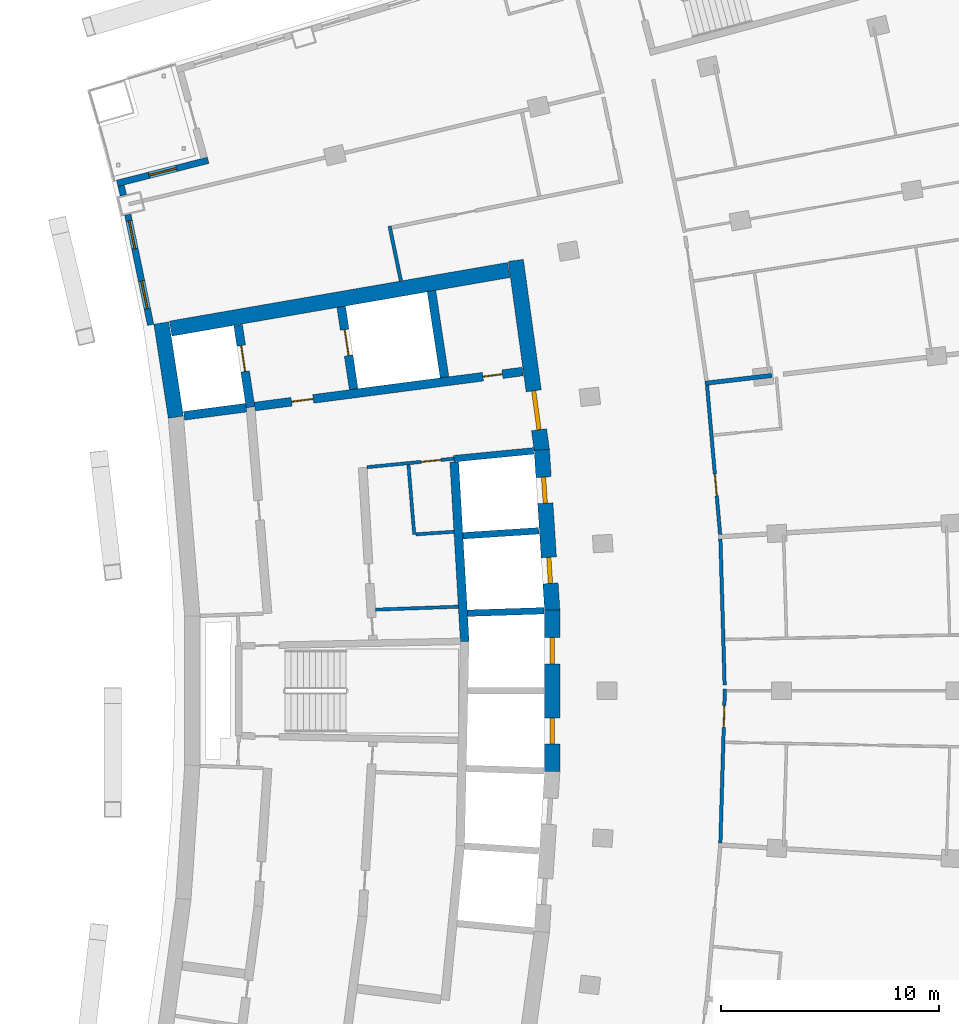
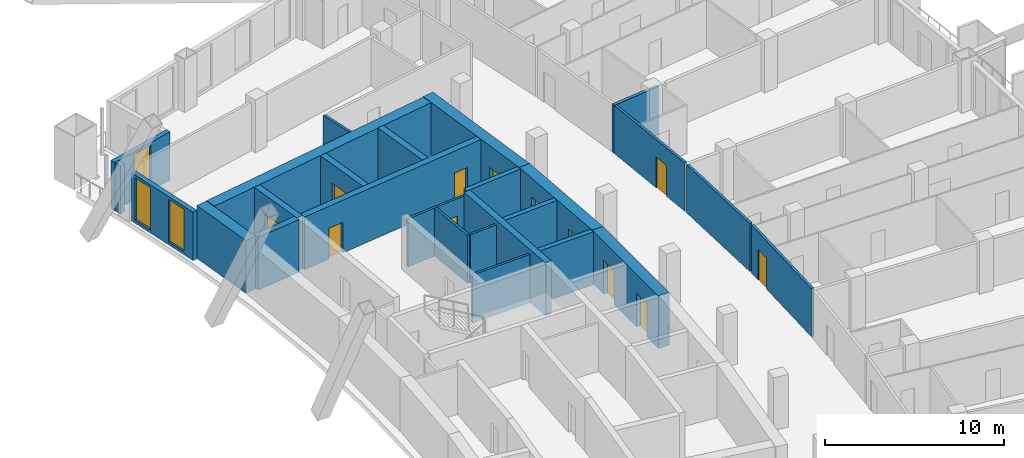
# One storey, part 13 of 20: 26 walls, 12 doors, 3 windows, 15 openings.
"""IFC4 building model written with IfcOpenShell, lengths in metres."""

from ifc_helpers import new_model, si_unit, direction, frame, frame_2d, origin, place, context, subcontext, project, spatial, rectangle, extrude, material, layer, layer_set, type_object, element, fill, save


model = new_model("IFC4")

# Units and contexts
model_context = context("Model", 3, precision=1e-05, world=origin(), true_north=direction((0.0, 1.0)))
body_context = subcontext(model_context, "Body", "Model", "MODEL_VIEW")
ifc_project = project(units=[si_unit("LENGTHUNIT", "METRE"), si_unit("AREAUNIT", "SQUARE_METRE"), si_unit("VOLUMEUNIT", "CUBIC_METRE"), si_unit("PLANEANGLEUNIT", "RADIAN"), si_unit("MASSUNIT", "GRAM", prefix="KILO")], contexts=[model_context])

# Site, building, storey
site_placement = place(None, origin())
site = spatial("IfcSite", under=ifc_project, at=site_placement, CompositionType="ELEMENT")
building_placement = place(site_placement, origin())
building = spatial("IfcBuilding", under=site, at=building_placement, Name="Alderwake Tower", CompositionType="ELEMENT")
storey_placement = place(building_placement, frame((0.0, 0.0, 149.60009765625)))
storey = spatial("IfcBuildingStorey", under=building, at=storey_placement, Name="L36", CompositionType="ELEMENT", Elevation=149.60009765625)

# Walls
ifc_material_1 = material(Name="Gypsum shaft wall system, rated")
ifc_layer_1 = layer(ifc_material_1, 0.14990234375)
ifc_layer_set_1 = layer_set([ifc_layer_1], Name="Core riser partition 150")
wall_type_1 = type_object("IfcWallType", Name="Core riser partition 150", PredefinedType="PARTITIONING", material=ifc_layer_set_1)
wall_1_placement = place(storey_placement, frame((25.191162109375, 64.723388671875, 0.0), z_axis=(0.0, 0.0, 1.0), x_axis=(0.999373627871, 0.035388584556, 0.0)))
element("IfcWall", 1, at=wall_1_placement, inside=storey, type_object=wall_type_1, Name="CW/L36/PR+37_+86", PredefinedType="PARTITIONING", context=body_context, shape_type="SweptSolid", body=[
    extrude(rectangle(XDim=3.79443359375, YDim=0.14990234375, at=frame_2d((1.897216796875, 0.0))), origin(), (0.0, 0.0, 1.0), 3.27978515625),
])
ifc_material_2 = material(Name="Gypsum shaft wall system, rated")
ifc_layer_2 = layer(ifc_material_2, 0.14990234375)
ifc_layer_set_2 = layer_set([ifc_layer_2], Name="Core room partition 150")
wall_type_2 = type_object("IfcWallType", Name="Core room partition 150", PredefinedType="PARTITIONING", material=ifc_layer_set_2)
wall_2_placement = place(storey_placement, frame((26.9599609375, 68.170654296875, 0.0), z_axis=(0.0, 0.0, 1.0), x_axis=(-0.081803626558, 0.996648466954, 0.0)))
element("IfcWall", 2, at=wall_2_placement, inside=storey, type_object=wall_type_2, Name="CW/L36/PA+107_+70", PredefinedType="PARTITIONING", context=body_context, shape_type="SweptSolid", body=[
    extrude(rectangle(XDim=3.205322265625, YDim=0.14990234375, at=frame_2d((1.6025390625, 0.0))), origin(), (0.0, 0.0, 1.0), 3.27978515625),
])
wall_3_placement = place(storey_placement, frame((27.034912109375, 68.175537109375, 0.0), z_axis=(0.0, 0.0, 1.0), x_axis=(0.997757929195, 0.066926188655, 0.0)))
element("IfcWall", 3, at=wall_3_placement, inside=storey, type_object=wall_type_2, Name="CW/L36/PR+70_+107", PredefinedType="PARTITIONING", context=body_context, shape_type="SweptSolid", body=[
    extrude(rectangle(XDim=1.7509765625, YDim=0.14990234375, at=frame_2d((0.87548828125, 0.0))), origin(), (0.0, 0.0, 1.0), 3.27978515625),
])

# Wall, opening, door
wall_4_placement = place(storey_placement, frame((28.780517578125, 71.644287109375, 0.0), z_axis=(0.0, 0.0, 1.0), x_axis=(-0.995250000627, -0.097352125046, 0.0)))
wall_4 = element("IfcWall", 4, at=wall_4_placement, inside=storey, type_object=wall_type_2, Name="CW/L36/PR+102_+86", PredefinedType="PARTITIONING", context=body_context, shape_type="SweptSolid", body=[
    extrude(rectangle(XDim=4.0, YDim=0.14990234375, at=frame_2d((2.0, 0.0))), origin(), (0.0, 0.0, 1.0), 3.27978515625),
])
opening_1_placement = place(wall_4_placement, frame((0.60009765625, 0.0, 0.0)))
opening_1 = element("IfcOpeningElement", 5, at=opening_1_placement, cuts=wall_4, Name="Opening C022", PredefinedType="OPENING", context=body_context, shape_type="SweptSolid", body=[
    extrude(rectangle(XDim=0.89990234375, YDim=2.10009765625, at=frame_2d((0.449951171875, 1.050048828125))), frame((0.0, 0.0849609375, 0.0), z_axis=(0.0, -1.0, 0.0), x_axis=(1.0, 0.0, 0.0)), (0.0, 0.0, 1.0), 0.169921875),
])
ifc_material_3 = material(Name="Painted steel leaf", Category="steel")
door_type_1 = type_object("IfcDoorType", Name="Core room door 900", OperationType="SINGLE_SWING_LEFT", PredefinedType="DOOR", material=ifc_material_3)
door_1_placement = place(opening_1_placement, origin())
door_1 = element("IfcDoor", 6, at=door_1_placement, inside=storey, type_object=door_type_1, Name="Room door", OperationType="SINGLE_SWING_LEFT", OverallHeight=2.10009765625, OverallWidth=0.89990234375, PredefinedType="DOOR", context=body_context, shape_type="SweptSolid", body=[
    extrude(rectangle(XDim=0.89990234375, YDim=2.10009765625, at=frame_2d((0.449951171875, 1.050048828125))), frame((0.0, 0.02490234375, 0.0), z_axis=(0.0, -1.0, 0.0), x_axis=(1.0, 0.0, 0.0)), (0.0, 0.0, 1.0), 0.050048828125),
])
fill(opening_1, door_1)

# Wall
ifc_material_4 = material(Name="Concrete C70/85", Category="concrete")
ifc_layer_3 = layer(ifc_material_4, 0.699951171875)
ifc_layer_set_3 = layer_set([ifc_layer_3], Name="Core wall outer 700 C70-85")
wall_type_3 = type_object("IfcWallType", Name="Core wall outer 700 C70-85", PredefinedType="SHEAR", material=ifc_layer_set_3)
wall_5_placement = place(storey_placement, frame((16.033935546875, 73.547607421875, 0.0), z_axis=(0.0, 0.0, 1.0), x_axis=(-0.151897483467, 0.988396253795, 0.0)))
element("IfcWall", 7, at=wall_5_placement, inside=storey, type_object=wall_type_3, Name="Core wall CW.039", PredefinedType="SHEAR", context=body_context, shape_type="SweptSolid", body=[
    extrude(rectangle(XDim=4.365234375, YDim=0.699951171875, at=frame_2d((2.1826171875, 0.0))), origin(), (0.0, 0.0, 1.0), 3.599853515625),
])

# Wall, openings, doors
wall_6_placement = place(storey_placement, frame((33.2900390625, 57.30322265625, 0.0), z_axis=(0.0, 0.0, 1.0), x_axis=(0.0, 1.0, 0.0)))
wall_6 = element("IfcWall", 8, at=wall_6_placement, inside=storey, type_object=wall_type_3, Name="Core wall CW.013", PredefinedType="SHEAR", context=body_context, shape_type="SweptSolid", body=[
    extrude(rectangle(XDim=7.3935546875, YDim=0.699951171875, at=frame_2d((3.69677734375, 0.0))), origin(), (0.0, 0.0, 1.0), 3.599853515625),
])
opening_2_placement = place(wall_6_placement, frame((1.254150390625, 0.0, 0.0)))
opening_2 = element("IfcOpeningElement", 9, at=opening_2_placement, cuts=wall_6, Name="Opening LD-HP3", PredefinedType="OPENING", context=body_context, shape_type="SweptSolid", body=[
    extrude(rectangle(XDim=1.199951171875, YDim=2.300048828125, at=frame_2d((0.60009765625, 1.14990234375))), frame((0.0, 0.35986328125, 0.0), z_axis=(0.0, -1.0, 0.0), x_axis=(1.0, 0.0, 0.0)), (0.0, 0.0, 1.0), 0.719970703125),
])
opening_3_placement = place(wall_6_placement, frame((4.939208984375, 0.0, 0.0)))
opening_3 = element("IfcOpeningElement", 10, at=opening_3_placement, cuts=wall_6, Name="Opening LD-HP4", PredefinedType="OPENING", context=body_context, shape_type="SweptSolid", body=[
    extrude(rectangle(XDim=1.199951171875, YDim=2.300048828125, at=frame_2d((0.60009765625, 1.14990234375))), frame((0.0, 0.35986328125, 0.0), z_axis=(0.0, -1.0, 0.0), x_axis=(1.0, 0.0, 0.0)), (0.0, 0.0, 1.0), 0.719970703125),
])
ifc_material_5 = material(Name="Stainless steel sliding leaf", Category="steel")
door_type_2 = type_object("IfcDoorType", Name="Lift landing door 1200", OperationType="SLIDING_TO_LEFT", PredefinedType="DOOR", material=ifc_material_5)
door_2_placement = place(opening_2_placement, origin())
door_2 = element("IfcDoor", 11, at=door_2_placement, inside=storey, type_object=door_type_2, Name="Lift landing door HP3", OperationType="SLIDING_TO_LEFT", OverallHeight=2.300048828125, OverallWidth=1.199951171875, PredefinedType="DOOR", context=body_context, shape_type="SweptSolid", body=[
    extrude(rectangle(XDim=1.199951171875, YDim=2.300048828125, at=frame_2d((0.60009765625, 1.14990234375))), frame((0.0, 0.10009765625, 0.0), z_axis=(0.0, -1.0, 0.0), x_axis=(1.0, 0.0, 0.0)), (0.0, 0.0, 1.0), 0.199951171875),
])
fill(opening_2, door_2)
door_3_placement = place(opening_3_placement, origin())
door_3 = element("IfcDoor", 12, at=door_3_placement, inside=storey, type_object=door_type_2, Name="Lift landing door HP4", OperationType="SLIDING_TO_LEFT", OverallHeight=2.300048828125, OverallWidth=1.199951171875, PredefinedType="DOOR", context=body_context, shape_type="SweptSolid", body=[
    extrude(rectangle(XDim=1.199951171875, YDim=2.300048828125, at=frame_2d((0.60009765625, 1.14990234375))), frame((0.0, 0.10009765625, 0.0), z_axis=(0.0, -1.0, 0.0), x_axis=(1.0, 0.0, 0.0)), (0.0, 0.0, 1.0), 0.199951171875),
])
fill(opening_3, door_3)

wall_7_placement = place(storey_placement, frame((33.291015625, 64.6728515625, 0.0), z_axis=(0.0, 0.0, 1.0), x_axis=(-0.065009096017, 0.99788467141, 0.0)))
wall_7 = element("IfcWall", 13, at=wall_7_placement, inside=storey, type_object=wall_type_3, Name="Core wall CW.010", PredefinedType="SHEAR", context=body_context, shape_type="SweptSolid", body=[
    extrude(rectangle(XDim=7.39453125, YDim=0.699951171875, at=frame_2d((3.697265625, 0.0))), origin(), (0.0, 0.0, 1.0), 3.599853515625),
])
opening_4_placement = place(wall_7_placement, frame((1.25390625, 0.0, 0.0)))
opening_4 = element("IfcOpeningElement", 14, at=opening_4_placement, cuts=wall_7, Name="Opening LD-HP5", PredefinedType="OPENING", context=body_context, shape_type="SweptSolid", body=[
    extrude(rectangle(XDim=1.199951171875, YDim=2.300048828125, at=frame_2d((0.60009765625, 1.14990234375))), frame((0.0, 0.35986328125, 0.0), z_axis=(0.0, -1.0, 0.0), x_axis=(1.0, 0.0, 0.0)), (0.0, 0.0, 1.0), 0.719970703125),
])
opening_5_placement = place(wall_7_placement, frame((4.939208984375, 0.0, 0.0)))
opening_5 = element("IfcOpeningElement", 15, at=opening_5_placement, cuts=wall_7, Name="Opening LD-HP6", PredefinedType="OPENING", context=body_context, shape_type="SweptSolid", body=[
    extrude(rectangle(XDim=1.199951171875, YDim=2.300048828125, at=frame_2d((0.60009765625, 1.14990234375))), frame((0.0, 0.35986328125, 0.0), z_axis=(0.0, -1.0, 0.0), x_axis=(1.0, 0.0, 0.0)), (0.0, 0.0, 1.0), 0.719970703125),
])
door_4_placement = place(opening_4_placement, origin())
door_4 = element("IfcDoor", 16, at=door_4_placement, inside=storey, type_object=door_type_2, Name="Lift landing door HP5", OperationType="SLIDING_TO_LEFT", OverallHeight=2.300048828125, OverallWidth=1.199951171875, PredefinedType="DOOR", context=body_context, shape_type="SweptSolid", body=[
    extrude(rectangle(XDim=1.199951171875, YDim=2.300048828125, at=frame_2d((0.60009765625, 1.14990234375))), frame((0.0, 0.10009765625, 0.0), z_axis=(0.0, -1.0, 0.0), x_axis=(1.0, 0.0, 0.0)), (0.0, 0.0, 1.0), 0.199951171875),
])
fill(opening_4, door_4)
door_5_placement = place(opening_5_placement, origin())
door_5 = element("IfcDoor", 17, at=door_5_placement, inside=storey, type_object=door_type_2, Name="Lift landing door HP6", OperationType="SLIDING_TO_LEFT", OverallHeight=2.300048828125, OverallWidth=1.199951171875, PredefinedType="DOOR", context=body_context, shape_type="SweptSolid", body=[
    extrude(rectangle(XDim=1.199951171875, YDim=2.300048828125, at=frame_2d((0.60009765625, 1.14990234375))), frame((0.0, 0.10009765625, 0.0), z_axis=(0.0, -1.0, 0.0), x_axis=(1.0, 0.0, 0.0)), (0.0, 0.0, 1.0), 0.199951171875),
])
fill(opening_5, door_5)

# Wall, opening, door
wall_8_placement = place(storey_placement, frame((31.618896484375, 80.735107421875, 0.0), z_axis=(0.0, 0.0, 1.0), x_axis=(0.135835706655, -0.99073137671, 0.0)))
wall_8 = element("IfcWall", 18, at=wall_8_placement, inside=storey, type_object=wall_type_3, Name="Core wall CW.009", PredefinedType="SHEAR", context=body_context, shape_type="SweptSolid", body=[
    extrude(rectangle(XDim=8.790771484375, YDim=0.699951171875, at=frame_2d((4.3955078125, 0.0))), origin(), (0.0, 0.0, 1.0), 3.599853515625),
])
opening_6_placement = place(wall_8_placement, frame((6.035888671875, 0.0, 0.0)))
opening_6 = element("IfcOpeningElement", 19, at=opening_6_placement, cuts=wall_8, Name="Opening C001", PredefinedType="OPENING", context=body_context, shape_type="SweptSolid", body=[
    extrude(rectangle(XDim=1.800048828125, YDim=2.10009765625, at=frame_2d((0.89990234375, 1.050048828125))), frame((0.0, 0.35986328125, 0.0), z_axis=(0.0, -1.0, 0.0), x_axis=(1.0, 0.0, 0.0)), (0.0, 0.0, 1.0), 0.719970703125),
])
ifc_material_6 = material(Name="Steel-framed fire door leaves", Category="steel")
door_type_3 = type_object("IfcDoorType", Name="Core double door 1800 fire-rated", OperationType="DOUBLE_DOOR_SINGLE_SWING", PredefinedType="DOOR", material=ifc_material_6)
door_6_placement = place(opening_6_placement, origin())
door_6 = element("IfcDoor", 20, at=door_6_placement, inside=storey, type_object=door_type_3, Name="Lobby double door", OperationType="DOUBLE_DOOR_SINGLE_SWING", OverallHeight=2.10009765625, OverallWidth=1.800048828125, PredefinedType="DOOR", context=body_context, shape_type="SweptSolid", body=[
    extrude(rectangle(XDim=1.800048828125, YDim=2.10009765625, at=frame_2d((0.89990234375, 1.050048828125))), frame((0.0, 0.10009765625, 0.0), z_axis=(0.0, -1.0, 0.0), x_axis=(1.0, 0.0, 0.0)), (0.0, 0.0, 1.0), 0.199951171875),
])
fill(opening_6, door_6)

# Walls
wall_9_placement = place(storey_placement, frame((15.79443359375, 77.606689453125, 0.0), z_axis=(0.0, 0.0, 1.0), x_axis=(0.985301369349, 0.170825090542, 0.0)))
element("IfcWall", 21, at=wall_9_placement, inside=storey, type_object=wall_type_3, Name="Core wall CW.055", PredefinedType="SHEAR", context=body_context, shape_type="SweptSolid", body=[
    extrude(rectangle(XDim=15.732421875, YDim=0.699951171875, at=frame_2d((7.8662109375, 0.0))), origin(), (0.0, 0.0, 1.0), 3.599853515625),
])
ifc_material_7 = material(Name="Concrete C70/85", Category="concrete")
ifc_layer_4 = layer(ifc_material_7, 0.300048828125)
ifc_layer_set_4 = layer_set([ifc_layer_4], Name="Core wall shaft 300 C70-85")
wall_type_4 = type_object("IfcWallType", Name="Core wall shaft 300 C70-85", PredefinedType="SHEAR", material=ifc_layer_set_4)
wall_10_placement = place(storey_placement, frame((29.401611328125, 64.558349609375, 0.0), z_axis=(0.0, 0.0, 1.0), x_axis=(0.999472422829, 0.032478854739, 0.0)))
element("IfcWall", 22, at=wall_10_placement, inside=storey, type_object=wall_type_4, Name="Core wall CW.058", PredefinedType="SHEAR", context=body_context, shape_type="SweptSolid", body=[
    extrude(rectangle(XDim=3.510498046875, YDim=0.300048828125, at=frame_2d((1.75537109375, 0.0))), origin(), (0.0, 0.0, 1.0), 3.599853515625),
])
wall_11_placement = place(storey_placement, frame((29.193603515625, 68.110595703125, 0.0), z_axis=(0.0, 0.0, 1.0), x_axis=(0.997884751549, 0.065007865878, 0.0)))
element("IfcWall", 23, at=wall_11_placement, inside=storey, type_object=wall_type_4, Name="Core wall CW.061", PredefinedType="SHEAR", context=body_context, shape_type="SweptSolid", body=[
    extrude(rectangle(XDim=3.485107421875, YDim=0.300048828125, at=frame_2d((1.74267578125, 0.0))), origin(), (0.0, 0.0, 1.0), 3.599853515625),
])
wall_12_placement = place(storey_placement, frame((28.780517578125, 71.644287109375, 0.0), z_axis=(0.0, 0.0, 1.0), x_axis=(0.995245736737, 0.097395705788, 0.0)))
element("IfcWall", 24, at=wall_12_placement, inside=storey, type_object=wall_type_4, Name="Core wall CW.049", PredefinedType="SHEAR", context=body_context, shape_type="SweptSolid", body=[
    extrude(rectangle(XDim=3.669677734375, YDim=0.300048828125, at=frame_2d((1.8349609375, 0.0))), origin(), (0.0, 0.0, 1.0), 3.599853515625),
])

# Wall, opening, door
ifc_material_8 = material(Name="Concrete C70/85", Category="concrete")
ifc_layer_5 = layer(ifc_material_8, 0.39990234375)
ifc_layer_set_5 = layer_set([ifc_layer_5], Name="Core wall spine 400 C70-85")
wall_type_5 = type_object("IfcWallType", Name="Core wall spine 400 C70-85", PredefinedType="SHEAR", material=ifc_layer_set_5)
wall_13_placement = place(storey_placement, frame((19.4541015625, 74.000732421875, 0.0), z_axis=(0.0, 0.0, 1.0), x_axis=(-0.148540738889, 0.988906289236, 0.0)))
wall_13 = element("IfcWall", 25, at=wall_13_placement, inside=storey, type_object=wall_type_5, Name="Core wall CW.030", PredefinedType="SHEAR", context=body_context, shape_type="SweptSolid", body=[
    extrude(rectangle(XDim=3.814697265625, YDim=0.39990234375, at=frame_2d((1.9072265625, 0.0))), origin(), (0.0, 0.0, 1.0), 3.599853515625),
])
opening_7_placement = place(wall_13_placement, frame((1.660888671875, 0.0, 0.0)))
opening_7 = element("IfcOpeningElement", 26, at=opening_7_placement, cuts=wall_13, Name="Opening LD-FF1", PredefinedType="OPENING", context=body_context, shape_type="SweptSolid", body=[
    extrude(rectangle(XDim=1.199951171875, YDim=2.300048828125, at=frame_2d((0.60009765625, 1.14990234375))), frame((0.0, 0.2099609375, 0.0), z_axis=(0.0, -1.0, 0.0), x_axis=(1.0, 0.0, 0.0)), (0.0, 0.0, 1.0), 0.419921875),
])
door_7_placement = place(opening_7_placement, origin())
door_7 = element("IfcDoor", 27, at=door_7_placement, inside=storey, type_object=door_type_2, Name="Lift landing door FF1", OperationType="SLIDING_TO_LEFT", OverallHeight=2.300048828125, OverallWidth=1.199951171875, PredefinedType="DOOR", context=body_context, shape_type="SweptSolid", body=[
    extrude(rectangle(XDim=1.199951171875, YDim=2.300048828125, at=frame_2d((0.60009765625, 1.14990234375))), frame((0.0, 0.02490234375, 0.0), z_axis=(0.0, -1.0, 0.0), x_axis=(1.0, 0.0, 0.0)), (0.0, 0.0, 1.0), 0.050048828125),
])
fill(opening_7, door_7)

wall_14_placement = place(storey_placement, frame((24.186279296875, 74.82861328125, 0.0), z_axis=(0.0, 0.0, 1.0), x_axis=(-0.149604879253, 0.988745862243, 0.0)))
wall_14 = element("IfcWall", 28, at=wall_14_placement, inside=storey, type_object=wall_type_5, Name="Core wall CW.044", PredefinedType="SHEAR", context=body_context, shape_type="SweptSolid", body=[
    extrude(rectangle(XDim=3.823486328125, YDim=0.39990234375, at=frame_2d((1.91162109375, 0.0))), origin(), (0.0, 0.0, 1.0), 3.599853515625),
])
opening_8_placement = place(wall_14_placement, frame((1.561767578125, 0.0, 0.0)))
opening_8 = element("IfcOpeningElement", 29, at=opening_8_placement, cuts=wall_14, Name="Opening LD-FF2", PredefinedType="OPENING", context=body_context, shape_type="SweptSolid", body=[
    extrude(rectangle(XDim=1.199951171875, YDim=2.300048828125, at=frame_2d((0.60009765625, 1.14990234375))), frame((0.0, 0.2099609375, 0.0), z_axis=(0.0, -1.0, 0.0), x_axis=(1.0, 0.0, 0.0)), (0.0, 0.0, 1.0), 0.419921875),
])
door_8_placement = place(opening_8_placement, origin())
door_8 = element("IfcDoor", 30, at=door_8_placement, inside=storey, type_object=door_type_2, Name="Lift landing door FF2", OperationType="SLIDING_TO_LEFT", OverallHeight=2.300048828125, OverallWidth=1.199951171875, PredefinedType="DOOR", context=body_context, shape_type="SweptSolid", body=[
    extrude(rectangle(XDim=1.199951171875, YDim=2.300048828125, at=frame_2d((0.60009765625, 1.14990234375))), frame((0.0, 0.02490234375, 0.0), z_axis=(0.0, -1.0, 0.0), x_axis=(1.0, 0.0, 0.0)), (0.0, 0.0, 1.0), 0.050048828125),
])
fill(opening_8, door_8)

# Walls
wall_15_placement = place(storey_placement, frame((29.27685546875, 63.2646484375, 0.0), z_axis=(0.0, 0.0, 1.0), x_axis=(-0.0584546922, 0.998290062537, 0.0)))
element("IfcWall", 31, at=wall_15_placement, inside=storey, type_object=wall_type_5, Name="Core wall CW.002", PredefinedType="SHEAR", context=body_context, shape_type="SweptSolid", body=[
    extrude(rectangle(XDim=8.24462890625, YDim=0.39990234375, at=frame_2d((4.122314453125, 0.0))), origin(), (0.0, 0.0, 1.0), 3.599853515625),
])
wall_16_placement = place(storey_placement, frame((28.350830078125, 75.373291015625, 0.0), z_axis=(0.0, 0.0, 1.0), x_axis=(-0.149688214264, 0.988733249421, 0.0)))
element("IfcWall", 32, at=wall_16_placement, inside=storey, type_object=wall_type_5, Name="Core wall CW.001", PredefinedType="SHEAR", context=body_context, shape_type="SweptSolid", body=[
    extrude(rectangle(XDim=4.01220703125, YDim=0.39990234375, at=frame_2d((2.006103515625, 0.0))), origin(), (0.0, 0.0, 1.0), 3.599853515625),
])
wall_17_placement = place(storey_placement, frame((16.4091796875, 73.609619140625, 0.0), z_axis=(0.0, 0.0, 1.0), x_axis=(0.991557657486, 0.129666541102, 0.0)))
element("IfcWall", 33, at=wall_17_placement, inside=storey, type_object=wall_type_5, Name="Core wall CW.051", PredefinedType="SHEAR", context=body_context, shape_type="SweptSolid", body=[
    extrude(rectangle(XDim=2.869384765625, YDim=0.39990234375, at=frame_2d((1.4345703125, 0.0))), origin(), (0.0, 0.0, 1.0), 3.599853515625),
])

# Wall, openings, doors
wall_18_placement = place(storey_placement, frame((31.933837890625, 75.64013671875, 0.0), z_axis=(0.0, 0.0, 1.0), x_axis=(-0.991554628634, -0.129689700573, 0.0)))
wall_18 = element("IfcWall", 34, at=wall_18_placement, inside=storey, type_object=wall_type_5, Name="Core wall CW.052", PredefinedType="SHEAR", context=body_context, shape_type="SweptSolid", body=[
    extrude(rectangle(XDim=12.38671875, YDim=0.39990234375, at=frame_2d((6.193359375, 0.0))), origin(), (0.0, 0.0, 1.0), 3.599853515625),
])
opening_9_placement = place(wall_18_placement, frame((9.687255859375, 0.0, 0.0)))
opening_9 = element("IfcOpeningElement", 35, at=opening_9_placement, cuts=wall_18, Name="Opening C002", PredefinedType="OPENING", context=body_context, shape_type="SweptSolid", body=[
    extrude(rectangle(XDim=1.0, YDim=2.10009765625, at=frame_2d((0.5, 1.050048828125))), frame((0.0, 0.2099609375, 0.0), z_axis=(0.0, -1.0, 0.0), x_axis=(1.0, 0.0, 0.0)), (0.0, 0.0, 1.0), 0.419921875),
])
opening_10_placement = place(wall_18_placement, frame((0.937255859375, 0.0, 0.0)))
opening_10 = element("IfcOpeningElement", 36, at=opening_10_placement, cuts=wall_18, Name="Opening C020", PredefinedType="OPENING", context=body_context, shape_type="SweptSolid", body=[
    extrude(rectangle(XDim=0.89990234375, YDim=2.10009765625, at=frame_2d((0.449951171875, 1.050048828125))), frame((0.0, 0.2099609375, 0.0), z_axis=(0.0, -1.0, 0.0), x_axis=(1.0, 0.0, 0.0)), (0.0, 0.0, 1.0), 0.419921875),
])
door_9_placement = place(opening_10_placement, origin())
door_9 = element("IfcDoor", 37, at=door_9_placement, inside=storey, type_object=door_type_1, Name="Room door", OperationType="SINGLE_SWING_RIGHT", OverallHeight=2.10009765625, OverallWidth=0.89990234375, PredefinedType="DOOR", context=body_context, shape_type="SweptSolid", body=[
    extrude(rectangle(XDim=0.89990234375, YDim=2.10009765625, at=frame_2d((0.449951171875, 1.050048828125))), frame((0.0, 0.02490234375, 0.0), z_axis=(0.0, -1.0, 0.0), x_axis=(1.0, 0.0, 0.0)), (0.0, 0.0, 1.0), 0.050048828125),
])
fill(opening_10, door_9)
ifc_material_9 = material(Name="Steel-framed fire door leaf", Category="steel")
door_type_4 = type_object("IfcDoorType", Name="Firefighting lobby door 1000 fire-rated", OperationType="SINGLE_SWING_LEFT", PredefinedType="DOOR", material=ifc_material_9)
door_10_placement = place(opening_9_placement, origin())
door_10 = element("IfcDoor", 38, at=door_10_placement, inside=storey, type_object=door_type_4, Name="Firefighting lobby door", OperationType="SINGLE_SWING_RIGHT", OverallHeight=2.10009765625, OverallWidth=1.0, PredefinedType="DOOR", context=body_context, shape_type="SweptSolid", body=[
    extrude(rectangle(XDim=1.0, YDim=2.10009765625, at=frame_2d((0.5, 1.050048828125))), frame((0.0, 0.02490234375, 0.0), z_axis=(0.0, -1.0, 0.0), x_axis=(1.0, 0.0, 0.0)), (0.0, 0.0, 1.0), 0.050048828125),
])
fill(opening_9, door_10)

# Wall
ifc_material_10 = material(Name="Gypsum board on metal studs, rated")
ifc_layer_6 = layer(ifc_material_10, 0.159912109375)
ifc_layer_set_6 = layer_set([ifc_layer_6], Name="Corridor wall 160")
wall_type_6 = type_object("IfcWallType", Name="Corridor wall 160", PredefinedType="PARTITIONING", material=ifc_layer_set_6)
wall_19_placement = place(storey_placement, frame((25.831787109375, 82.305419921875, 0.0), z_axis=(0.0, 0.0, 1.0), x_axis=(0.202450797205, -0.979292435747, 0.0)))
element("IfcWall", 39, at=wall_19_placement, inside=storey, type_object=wall_type_6, Name="WL/L36/W14", PredefinedType="PARTITIONING", context=body_context, shape_type="SweptSolid", body=[
    extrude(rectangle(XDim=2.555419921875, YDim=0.159912109375, at=frame_2d((1.27783203125, 0.0))), origin(), (0.0, 0.0, 1.0), 3.27978515625),
])

# Wall, opening, door
wall_20_placement = place(storey_placement, frame((41.201416015625, 61.0791015625, 0.0), z_axis=(0.0, 0.0, 1.0), x_axis=(-0.028889070526, -0.999582623701, 0.0)))
wall_20 = element("IfcWall", 40, at=wall_20_placement, inside=storey, type_object=wall_type_6, Name="WL/L36/W26", PredefinedType="PARTITIONING", context=body_context, shape_type="SweptSolid", body=[
    extrude(rectangle(XDim=7.048095703125, YDim=0.159912109375, at=frame_2d((3.52392578125, 0.0))), origin(), (0.0, 0.0, 1.0), 3.27978515625),
])
opening_11_placement = place(wall_20_placement, frame((0.757080078125, 0.0, 0.0)))
opening_11 = element("IfcOpeningElement", 41, at=opening_11_placement, cuts=wall_20, Name="Opening R10-U05.2", PredefinedType="OPENING", context=body_context, shape_type="SweptSolid", body=[
    extrude(rectangle(XDim=1.0, YDim=2.10009765625, at=frame_2d((0.5, 1.050048828125))), frame((0.0, 0.08984375, 0.0), z_axis=(0.0, -1.0, 0.0), x_axis=(1.0, 0.0, 0.0)), (0.0, 0.0, 1.0), 0.179931640625),
])
ifc_material_11 = material(Name="Solid timber leaf in steel frame", Category="steel")
door_type_5 = type_object("IfcDoorType", Name="Flat entrance door 1000 fire-rated", OperationType="SINGLE_SWING_LEFT", PredefinedType="DOOR", material=ifc_material_11)
door_11_placement = place(opening_11_placement, origin())
door_11 = element("IfcDoor", 42, at=door_11_placement, inside=storey, type_object=door_type_5, Name="DR/L36/U05.2", OperationType="SINGLE_SWING_LEFT", OverallHeight=2.10009765625, OverallWidth=1.0, PredefinedType="DOOR", context=body_context, shape_type="SweptSolid", body=[
    extrude(rectangle(XDim=1.0, YDim=2.10009765625, at=frame_2d((0.5, 1.050048828125))), frame((0.0, 0.02490234375, 0.0), z_axis=(0.0, -1.0, 0.0), x_axis=(1.0, 0.0, 0.0)), (0.0, 0.0, 1.0), 0.050048828125),
])
fill(opening_11, door_11)

wall_21_placement = place(storey_placement, frame((40.3857421875, 75.00830078125, 0.0), z_axis=(0.0, 0.0, 1.0), x_axis=(0.087448731147, -0.996169021512, 0.0)))
wall_21 = element("IfcWall", 43, at=wall_21_placement, inside=storey, type_object=wall_type_6, Name="WL/L36/W27", PredefinedType="PARTITIONING", context=body_context, shape_type="SweptSolid", body=[
    extrude(rectangle(XDim=6.867919921875, YDim=0.159912109375, at=frame_2d((3.43408203125, 0.0))), origin(), (0.0, 0.0, 1.0), 3.27978515625),
])
opening_12_placement = place(wall_21_placement, frame((4.085693359375, 0.0, 0.0)))
opening_12 = element("IfcOpeningElement", 44, at=opening_12_placement, cuts=wall_21, Name="Opening R10-U06.1", PredefinedType="OPENING", context=body_context, shape_type="SweptSolid", body=[
    extrude(rectangle(XDim=1.0, YDim=2.10009765625, at=frame_2d((0.5, 1.050048828125))), frame((0.0, 0.08984375, 0.0), z_axis=(0.0, -1.0, 0.0), x_axis=(1.0, 0.0, 0.0)), (0.0, 0.0, 1.0), 0.179931640625),
])
door_12_placement = place(opening_12_placement, origin())
door_12 = element("IfcDoor", 45, at=door_12_placement, inside=storey, type_object=door_type_5, Name="DR/L36/U06.1", OperationType="SINGLE_SWING_LEFT", OverallHeight=2.10009765625, OverallWidth=1.0, PredefinedType="DOOR", context=body_context, shape_type="SweptSolid", body=[
    extrude(rectangle(XDim=1.0, YDim=2.10009765625, at=frame_2d((0.5, 1.050048828125))), frame((0.0, 0.02490234375, 0.0), z_axis=(0.0, -1.0, 0.0), x_axis=(1.0, 0.0, 0.0)), (0.0, 0.0, 1.0), 0.050048828125),
])
fill(opening_12, door_12)

# Walls
wall_22_placement = place(storey_placement, frame((40.997802734375, 67.967041015625, 0.0), z_axis=(0.0, 0.0, 1.0), x_axis=(0.0288778927, -0.99958294669, 0.0)))
element("IfcWall", 46, at=wall_22_placement, inside=storey, type_object=wall_type_6, Name="WL/L36/W28", PredefinedType="PARTITIONING", context=body_context, shape_type="SweptSolid", body=[
    extrude(rectangle(XDim=6.7041015625, YDim=0.159912109375, at=frame_2d((3.35205078125, 0.0))), origin(), (0.0, 0.0, 1.0), 3.27978515625),
])
ifc_material_12 = material(Name="Precast concrete C50/60 spandrel panel", Category="concrete")
ifc_layer_7 = layer(ifc_material_12, 0.300048828125)
ifc_layer_set_7 = layer_set([ifc_layer_7], Name="External wall EW1 Precast concrete C50/60 spandrel")
wall_type_7 = type_object("IfcWallType", Name="External wall EW1 Precast concrete C50/60 spandrel", PredefinedType="SOLIDWALL", material=ifc_layer_set_7)
wall_23_placement = place(storey_placement, frame((13.523193359375, 84.1572265625, 0.0), z_axis=(0.0, 0.0, 1.0), x_axis=(0.238729806706, -0.97108603089, 0.0)))
element("IfcWall", 47, at=wall_23_placement, inside=storey, type_object=wall_type_7, Name="External wall 30", PredefinedType="SOLIDWALL", context=body_context, shape_type="SweptSolid", body=[
    extrude(rectangle(XDim=0.453125, YDim=0.300048828125, at=frame_2d((0.2265625, 0.0))), origin(), (0.0, 0.0, 1.0), 3.27978515625),
])

# Wall, openings, windows
wall_24_placement = place(storey_placement, frame((13.83203125, 82.8291015625, 0.0), z_axis=(0.0, 0.0, 1.0), x_axis=(0.202754243564, -0.979229654737, 0.0)))
wall_24 = element("IfcWall", 48, at=wall_24_placement, inside=storey, type_object=wall_type_7, Name="External wall 31", PredefinedType="SOLIDWALL", context=body_context, shape_type="SweptSolid", body=[
    extrude(rectangle(XDim=5.15966796875, YDim=0.300048828125, at=frame_2d((2.579833984375, 0.0))), origin(), (0.0, 0.0, 1.0), 3.27978515625),
])
opening_13_placement = place(wall_24_placement, frame((0.29052734375, 0.0, 0.199951171875)))
opening_13 = element("IfcOpeningElement", 49, at=opening_13_placement, cuts=wall_24, Name="Opening W1", PredefinedType="OPENING", context=body_context, shape_type="SweptSolid", body=[
    extrude(rectangle(XDim=1.300048828125, YDim=2.89990234375, at=frame_2d((0.64990234375, 1.449951171875))), frame((0.0, 0.159912109375, 0.0), z_axis=(0.0, -1.0, 0.0), x_axis=(1.0, 0.0, 0.0)), (0.0, 0.0, 1.0), 0.320068359375),
])
opening_14_placement = place(wall_24_placement, frame((3.103271484375, 0.0, 0.199951171875)))
opening_14 = element("IfcOpeningElement", 50, at=opening_14_placement, cuts=wall_24, Name="Opening W1", PredefinedType="OPENING", context=body_context, shape_type="SweptSolid", body=[
    extrude(rectangle(XDim=1.300048828125, YDim=2.89990234375, at=frame_2d((0.64990234375, 1.449951171875))), frame((0.0, 0.159912109375, 0.0), z_axis=(0.0, -1.0, 0.0), x_axis=(1.0, 0.0, 0.0)), (0.0, 0.0, 1.0), 0.320068359375),
])
ifc_material_13 = material(Name="Bronze tinted glass in aluminium frame", Category="aluminium")
window_type = type_object("IfcWindowType", Name="Window W1 tall fixed and vent", PartitioningType="DOUBLE_PANEL_VERTICAL", PredefinedType="WINDOW", material=ifc_material_13)
window_1_placement = place(opening_13_placement, origin())
window_1 = element("IfcWindow", 51, at=window_1_placement, inside=storey, type_object=window_type, Name="Window W1 tall fixed and vent", OverallHeight=2.89990234375, OverallWidth=1.300048828125, PartitioningType="DOUBLE_PANEL_VERTICAL", PredefinedType="WINDOW", context=body_context, shape_type="SweptSolid", body=[
    extrude(rectangle(XDim=1.300048828125, YDim=2.89990234375, at=frame_2d((0.64990234375, 1.449951171875))), frame((0.0, 0.030029296875, 0.0), z_axis=(0.0, -1.0, 0.0), x_axis=(1.0, 0.0, 0.0)), (0.0, 0.0, 1.0), 0.06005859375),
])
fill(opening_13, window_1)
window_2_placement = place(opening_14_placement, origin())
window_2 = element("IfcWindow", 52, at=window_2_placement, inside=storey, type_object=window_type, Name="Window W1 tall fixed and vent", OverallHeight=2.89990234375, OverallWidth=1.300048828125, PartitioningType="DOUBLE_PANEL_VERTICAL", PredefinedType="WINDOW", context=body_context, shape_type="SweptSolid", body=[
    extrude(rectangle(XDim=1.300048828125, YDim=2.89990234375, at=frame_2d((0.64990234375, 1.449951171875))), frame((0.0, 0.030029296875, 0.0), z_axis=(0.0, -1.0, 0.0), x_axis=(1.0, 0.0, 0.0)), (0.0, 0.0, 1.0), 0.06005859375),
])
fill(opening_14, window_2)

# Wall, opening, window
ifc_material_14 = material(Name="Bronze metal cladding on lightweight framing")
ifc_layer_8 = layer(ifc_material_14, 0.300048828125)
ifc_layer_set_8 = layer_set([ifc_layer_8], Name="External wall EW2 bronze metal cladding")
wall_type_8 = type_object("IfcWallType", Name="External wall EW2 bronze metal cladding", PredefinedType="SOLIDWALL", material=ifc_layer_set_8)
wall_25_placement = place(storey_placement, frame((17.51611328125, 85.32275390625, 0.0), z_axis=(0.0, 0.0, 1.0), x_axis=(-0.969417740682, -0.245416470617, 0.0)))
wall_25 = element("IfcWall", 53, at=wall_25_placement, inside=storey, type_object=wall_type_8, Name="External wall 29", PredefinedType="SOLIDWALL", context=body_context, shape_type="SweptSolid", body=[
    extrude(rectangle(XDim=4.305419921875, YDim=0.300048828125, at=frame_2d((2.15283203125, 0.0))), origin(), (0.0, 0.0, 1.0), 3.27978515625),
])
opening_15_placement = place(wall_25_placement, frame((1.502685546875, 0.0, 0.199951171875)))
opening_15 = element("IfcOpeningElement", 54, at=opening_15_placement, cuts=wall_25, Name="Opening W1", PredefinedType="OPENING", context=body_context, shape_type="SweptSolid", body=[
    extrude(rectangle(XDim=1.300048828125, YDim=2.89990234375, at=frame_2d((0.64990234375, 1.449951171875))), frame((0.0, 0.159912109375, 0.0), z_axis=(0.0, -1.0, 0.0), x_axis=(1.0, 0.0, 0.0)), (0.0, 0.0, 1.0), 0.320068359375),
])
window_3_placement = place(opening_15_placement, origin())
window_3 = element("IfcWindow", 55, at=window_3_placement, inside=storey, type_object=window_type, Name="Window W1 tall fixed and vent", OverallHeight=2.89990234375, OverallWidth=1.300048828125, PartitioningType="DOUBLE_PANEL_VERTICAL", PredefinedType="WINDOW", context=body_context, shape_type="SweptSolid", body=[
    extrude(rectangle(XDim=1.300048828125, YDim=2.89990234375, at=frame_2d((0.64990234375, 1.449951171875))), frame((0.0, 0.030029296875, 0.0), z_axis=(0.0, -1.0, 0.0), x_axis=(1.0, 0.0, 0.0)), (0.0, 0.0, 1.0), 0.06005859375),
])
fill(opening_15, window_3)

# Wall
ifc_material_15 = material(Name="Dense block masonry wall", Category="masonry")
ifc_layer_9 = layer(ifc_material_15, 0.199951171875)
ifc_layer_set_9 = layer_set([ifc_layer_9], Name="Party wall 200")
wall_type_9 = type_object("IfcWallType", Name="Party wall 200", PredefinedType="SOLIDWALL", material=ifc_layer_set_9)
wall_26_placement = place(storey_placement, frame((43.356201171875, 75.458740234375, 0.0), z_axis=(0.0, 0.0, 1.0), x_axis=(-0.993140319253, -0.116928637524, 0.0)))
element("IfcWall", 56, at=wall_26_placement, inside=storey, type_object=wall_type_9, Name="WL/L36/W01", PredefinedType="SOLIDWALL", context=body_context, shape_type="SweptSolid", body=[
    extrude(rectangle(XDim=3.079833984375, YDim=0.199951171875, at=frame_2d((1.5400390625, 0.0))), origin(), (0.0, 0.0, 1.0), 3.27978515625),
])

save(model, "model.ifc")
